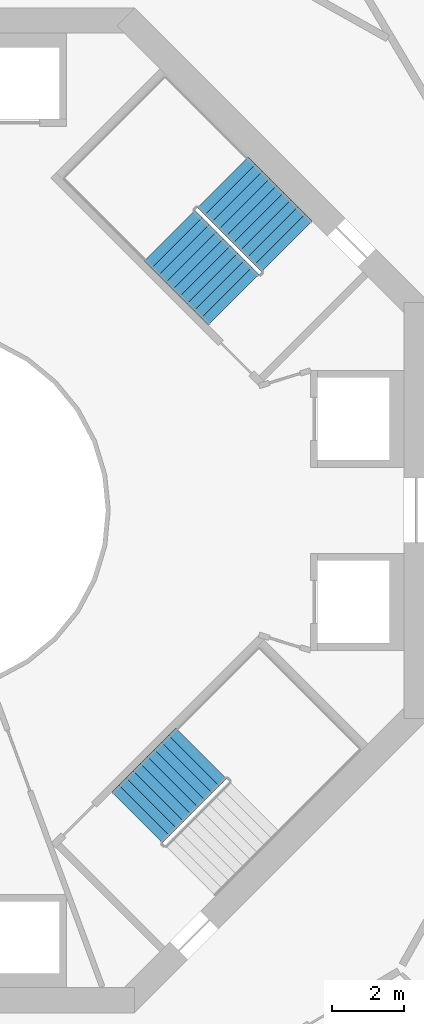
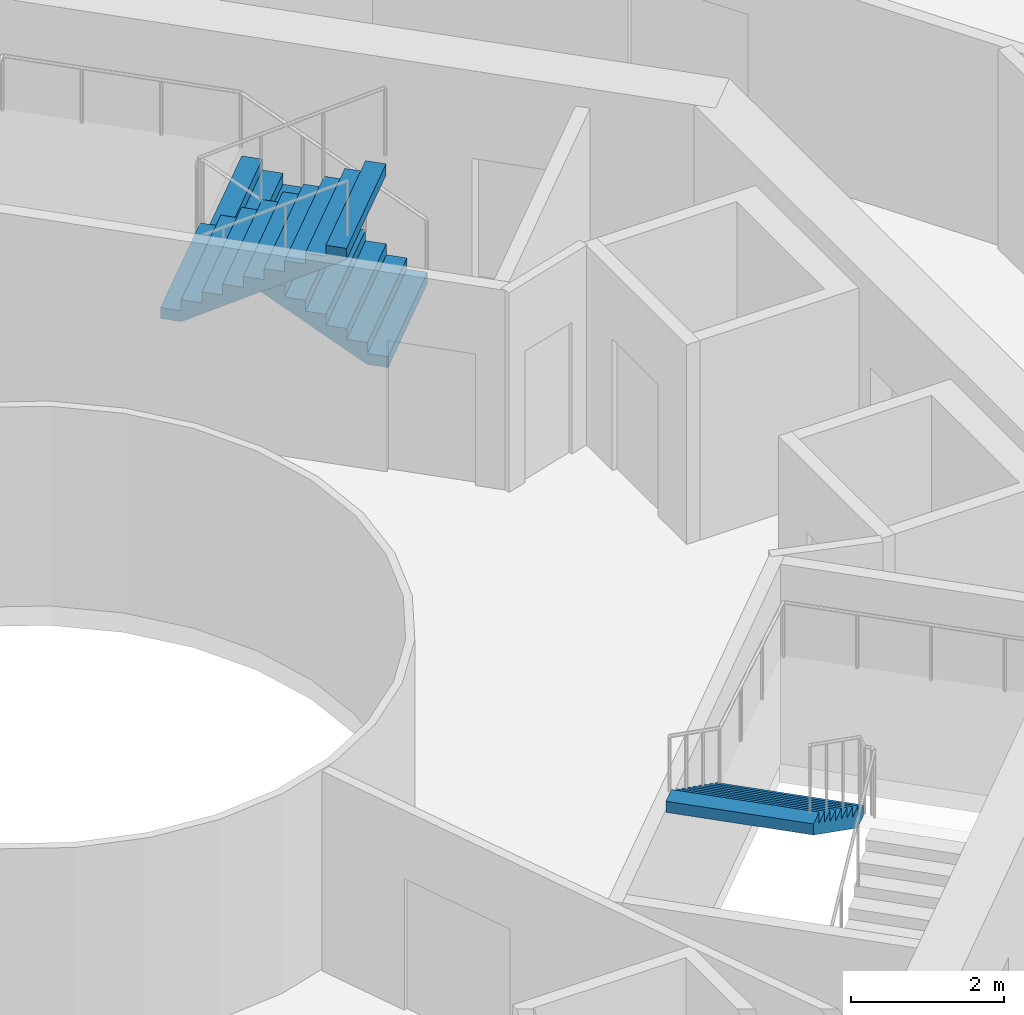
# One storey, part 20 of 21: 3 stair flights, 2 elements without a shape of their own.
"""IFC4 building model written with IfcOpenShell, lengths in metres."""

from ifc_helpers import new_model, si_unit, direction, frame, origin, place, context, subcontext, project, spatial, triangles, material, type_object, element, aggregate, save


model = new_model("IFC4")

# Units and contexts
model_context = context("Model", 3, precision=1e-05, world=origin(), true_north=direction((0.0, 1.0)))
body_context = subcontext(model_context, "Body", "Model", "MODEL_VIEW")
ifc_project = project(units=[si_unit("LENGTHUNIT", "METRE"), si_unit("AREAUNIT", "SQUARE_METRE"), si_unit("VOLUMEUNIT", "CUBIC_METRE"), si_unit("PLANEANGLEUNIT", "RADIAN"), si_unit("MASSUNIT", "GRAM", prefix="KILO")], contexts=[model_context])

# Site, building, storey
site_placement = place(None, origin())
site = spatial("IfcSite", under=ifc_project, at=site_placement, CompositionType="ELEMENT")
building_placement = place(site_placement, origin())
building = spatial("IfcBuilding", under=site, at=building_placement, Name="Verdalira Terraces Hotel", CompositionType="ELEMENT")
storey_placement = place(building_placement, frame((0.0, 0.0, 158.5)))
storey = spatial("IfcBuildingStorey", under=building, at=storey_placement, Name="L38", CompositionType="ELEMENT", Elevation=158.5)

# Stair, stair flights
ifc_material_1 = material(Name="Concrete C40", Category="concrete")
stair_type = type_object("IfcStairType", Name="Core stair 20 risers 2000 mm wide", PredefinedType="HALF_TURN_STAIR", material=ifc_material_1)
stair_1_placement = place(storey_placement, origin())
stair_1 = element("IfcStair", 1, at=stair_1_placement, inside=storey, type_object=stair_type, Name="L38 Exit stair ST1", PredefinedType="HALF_TURN_STAIR")
ifc_material_2 = material(Name="Concrete C40", Category="concrete")
stair_flight_type = type_object("IfcStairFlightType", Name="Core stair flight 20 risers 2000 mm wide", PredefinedType="STRAIGHT", material=ifc_material_2)
stair_flight_1_placement = place(storey_placement, frame((10.041016, 7.354004, 0.0), z_axis=(0.0, 0.0, 1.0), x_axis=(-0.707106781, 0.707106781, 0.0)))
stair_flight_1 = element("IfcStairFlight", 2, at=stair_flight_1_placement, type_object=stair_flight_type, Name="ST1 flight 1", NumberOfRisers=10, NumberOfTreads=9, PredefinedType="STRAIGHT", RiserHeight=0.175, TreadLength=0.28, context=body_context, shape_type="Tessellation", body=[
    triangles([(0.0, 1.0, 0.0), (0.282715, 1.0, 0.0), (2.52002, 1.0, 1.398193), (0.0, -1.0, 0.0), (0.282715, -1.0, 0.0), (2.52002, -1.0, 1.398193), (2.52002, 1.0, 1.574951), (2.23999, 1.0, 1.574951), (2.52002, -1.0, 1.574951), (2.23999, -1.0, 1.574951), (2.23999, 1.0, 1.399902), (2.23999, -1.0, 1.399902), (1.959961, 1.0, 1.399902), (1.959961, -1.0, 1.399902), (1.959961, 1.0, 1.225098), (1.959961, -1.0, 1.225098), (1.679932, 1.0, 1.225098), (1.679932, 1.0, 1.050049), (1.679932, -1.0, 1.225098), (1.679932, -1.0, 1.050049), (1.399902, 1.0, 1.050049), (1.399902, 1.0, 0.875), (1.399902, -1.0, 1.050049), (1.399902, -1.0, 0.875), (1.120117, 1.0, 0.875), (1.120117, 1.0, 0.699951), (1.120117, -1.0, 0.875), (1.120117, -1.0, 0.699951), (0.840088, 1.0, 0.699951), (0.840088, 1.0, 0.524902), (0.840088, -1.0, 0.699951), (0.840088, -1.0, 0.524902), (0.560059, 1.0, 0.524902), (0.560059, 1.0, 0.350098), (0.560059, -1.0, 0.524902), (0.560059, -1.0, 0.350098), (0.280029, 1.0, 0.350098), (0.280029, 1.0, 0.175049), (0.280029, -1.0, 0.350098), (0.280029, -1.0, 0.175049), (0.0, 1.0, 0.175049), (0.0, -1.0, 0.175049), (0.0, -0.9375, 0.0), (0.0, -0.9375, 0.175049), (0.0, -0.875, 0.0), (0.0, -0.875, 0.175049), (0.0, -0.8125, 0.0), (0.0, -0.8125, 0.175049), (0.0, -0.75, 0.0), (0.0, -0.75, 0.175049), (0.0, -0.6875, 0.0), (0.0, -0.6875, 0.175049), (0.0, -0.625, 0.0), (0.0, -0.625, 0.175049), (0.0, -0.5625, 0.0), (0.0, -0.5625, 0.175049), (0.0, -0.5, 0.0), (0.0, -0.5, 0.175049), (0.0, -0.4375, 0.0), (0.0, -0.4375, 0.175049), (0.0, -0.375, 0.0), (0.0, -0.375, 0.175049), (0.0, -0.3125, 0.0), (0.0, -0.3125, 0.175049), (0.0, -0.25, 0.0), (0.0, -0.25, 0.175049), (0.0, -0.1875, 0.0), (0.0, -0.1875, 0.175049), (0.0, -0.125, 0.0), (0.0, -0.125, 0.175049), (0.0, -0.0625, 0.0), (0.0, -0.0625, 0.175049), (0.0, 0.0, 0.0), (0.0, 0.0, 0.175049), (0.0, 0.0625, 0.0), (0.0, 0.0625, 0.175049), (0.0, 0.125, 0.0), (0.0, 0.125, 0.175049), (0.0, 0.1875, 0.0), (0.0, 0.1875, 0.175049), (0.0, 0.25, 0.0), (0.0, 0.25, 0.175049), (0.0, 0.3125, 0.0), (0.0, 0.3125, 0.175049), (0.0, 0.375, 0.0), (0.0, 0.375, 0.175049), (0.0, 0.4375, 0.0), (0.0, 0.4375, 0.175049), (0.0, 0.5, 0.0), (0.0, 0.5, 0.175049), (0.0, 0.5625, 0.0), (0.0, 0.5625, 0.175049), (0.0, 0.625, 0.0), (0.0, 0.625, 0.175049), (0.0, 0.6875, 0.0), (0.0, 0.6875, 0.175049), (0.0, 0.75, 0.0), (0.0, 0.75, 0.175049), (0.0, 0.8125, 0.0), (0.0, 0.8125, 0.175049), (0.0, 0.875, 0.0), (0.0, 0.875, 0.175049), (0.0, 0.9375, 0.0), (0.0, 0.9375, 0.175049), (2.52002, -0.9375, 1.574951), (2.52002, -0.875, 1.574951), (2.52002, -0.8125, 1.574951), (2.52002, -0.75, 1.574951), (2.52002, -0.6875, 1.574951), (2.52002, -0.625, 1.574951), (2.52002, -0.5625, 1.574951), (2.52002, -0.5, 1.574951), (2.52002, -0.4375, 1.574951), (2.52002, -0.375, 1.574951), (2.52002, -0.3125, 1.574951), (2.52002, -0.25, 1.574951), (2.52002, -0.1875, 1.574951), (2.52002, -0.125, 1.574951), (2.52002, -0.0625, 1.574951), (2.52002, 0.0, 1.574951), (2.52002, 0.0625, 1.574951), (2.52002, 0.125, 1.574951), (2.52002, 0.1875, 1.574951), (2.52002, 0.25, 1.574951), (2.52002, 0.3125, 1.574951), (2.52002, 0.375, 1.574951), (2.52002, 0.4375, 1.574951), (2.52002, 0.5, 1.574951), (2.52002, 0.5625, 1.574951), (2.52002, 0.625, 1.574951), (2.52002, 0.6875, 1.574951), (2.52002, 0.75, 1.574951), (2.52002, 0.8125, 1.574951), (2.52002, 0.875, 1.574951), (2.52002, 0.9375, 1.574951), (2.52002, -0.9375, 1.398193), (2.52002, -0.875, 1.398193), (2.52002, -0.8125, 1.398193), (2.52002, -0.75, 1.398193), (2.52002, -0.6875, 1.398193), (2.52002, -0.625, 1.398193), (2.52002, -0.5625, 1.398193), (2.52002, -0.5, 1.398193), (2.52002, -0.4375, 1.398193), (2.52002, -0.375, 1.398193), (2.52002, -0.3125, 1.398193), (2.52002, -0.25, 1.398193), (2.52002, -0.1875, 1.398193), (2.52002, -0.125, 1.398193), (2.52002, -0.0625, 1.398193), (2.52002, 0.0, 1.398193), (2.52002, 0.0625, 1.398193), (2.52002, 0.125, 1.398193), (2.52002, 0.1875, 1.398193), (2.52002, 0.25, 1.398193), (2.52002, 0.3125, 1.398193), (2.52002, 0.375, 1.398193), (2.52002, 0.4375, 1.398193), (2.52002, 0.5, 1.398193), (2.52002, 0.5625, 1.398193), (2.52002, 0.625, 1.398193), (2.52002, 0.6875, 1.398193), (2.52002, 0.75, 1.398193), (2.52002, 0.8125, 1.398193), (2.52002, 0.875, 1.398193), (2.52002, 0.9375, 1.398193)], [[1, 3, 2], [4, 5, 6], [3, 8, 7], [6, 9, 10], [3, 11, 8], [6, 10, 12], [3, 13, 11], [6, 12, 14], [3, 15, 13], [6, 14, 16], [15, 18, 17], [16, 19, 20], [3, 18, 15], [6, 16, 20], [18, 22, 21], [20, 23, 24], [3, 22, 18], [6, 20, 24], [22, 26, 25], [24, 27, 28], [3, 26, 22], [6, 24, 28], [26, 30, 29], [28, 31, 32], [3, 30, 26], [6, 28, 32], [1, 30, 3], [4, 6, 32], [30, 34, 33], [32, 35, 36], [34, 38, 37], [36, 39, 40], [30, 38, 34], [32, 36, 40], [1, 38, 30], [4, 32, 40], [38, 1, 41], [40, 42, 4], [4, 44, 43], [4, 42, 44], [43, 46, 45], [43, 44, 46], [45, 48, 47], [45, 46, 48], [47, 50, 49], [47, 48, 50], [49, 52, 51], [49, 50, 52], [51, 54, 53], [51, 52, 54], [53, 56, 55], [53, 54, 56], [55, 58, 57], [55, 56, 58], [57, 60, 59], [57, 58, 60], [59, 62, 61], [59, 60, 62], [61, 64, 63], [61, 62, 64], [63, 66, 65], [63, 64, 66], [65, 68, 67], [65, 66, 68], [67, 70, 69], [67, 68, 70], [69, 72, 71], [69, 70, 72], [71, 74, 73], [71, 72, 74], [73, 76, 75], [73, 74, 76], [75, 78, 77], [75, 76, 78], [77, 80, 79], [77, 78, 80], [79, 82, 81], [79, 80, 82], [81, 84, 83], [81, 82, 84], [83, 86, 85], [83, 84, 86], [85, 88, 87], [85, 86, 88], [87, 90, 89], [87, 88, 90], [89, 92, 91], [89, 90, 92], [91, 94, 93], [91, 92, 94], [93, 96, 95], [93, 94, 96], [95, 98, 97], [95, 96, 98], [97, 100, 99], [97, 98, 100], [99, 102, 101], [99, 100, 102], [101, 104, 103], [101, 102, 104], [103, 41, 1], [103, 104, 41], [42, 40, 44], [44, 40, 46], [46, 40, 48], [48, 40, 50], [50, 40, 52], [52, 40, 54], [54, 40, 56], [56, 40, 58], [58, 40, 60], [60, 40, 62], [62, 40, 64], [64, 40, 66], [66, 40, 68], [68, 40, 70], [70, 40, 72], [72, 40, 74], [74, 40, 76], [76, 40, 78], [78, 40, 80], [80, 40, 82], [82, 40, 84], [84, 40, 86], [86, 40, 88], [88, 40, 90], [90, 40, 92], [92, 40, 94], [94, 40, 96], [96, 40, 98], [98, 40, 100], [100, 40, 102], [102, 40, 104], [104, 40, 41], [41, 40, 38], [40, 37, 38], [40, 39, 37], [39, 34, 37], [39, 36, 34], [36, 33, 34], [36, 35, 33], [35, 30, 33], [35, 32, 30], [32, 29, 30], [32, 31, 29], [31, 26, 29], [31, 28, 26], [28, 25, 26], [28, 27, 25], [27, 22, 25], [27, 24, 22], [24, 21, 22], [24, 23, 21], [23, 18, 21], [23, 20, 18], [20, 17, 18], [20, 19, 17], [19, 15, 17], [19, 16, 15], [16, 13, 15], [16, 14, 13], [14, 11, 13], [14, 12, 11], [12, 8, 11], [12, 10, 8], [9, 105, 10], [105, 106, 10], [106, 107, 10], [107, 108, 10], [108, 109, 10], [109, 110, 10], [110, 111, 10], [111, 112, 10], [112, 113, 10], [113, 114, 10], [114, 115, 10], [115, 116, 10], [116, 117, 10], [117, 118, 10], [118, 119, 10], [119, 120, 10], [120, 121, 10], [121, 122, 10], [122, 123, 10], [123, 124, 10], [124, 125, 10], [125, 126, 10], [126, 127, 10], [127, 128, 10], [128, 129, 10], [129, 130, 10], [130, 131, 10], [131, 132, 10], [132, 133, 10], [133, 134, 10], [134, 135, 10], [135, 7, 10], [7, 8, 10], [9, 136, 105], [9, 6, 136], [105, 137, 106], [105, 136, 137], [106, 138, 107], [106, 137, 138], [107, 139, 108], [107, 138, 139], [108, 140, 109], [108, 139, 140], [109, 141, 110], [109, 140, 141], [110, 142, 111], [110, 141, 142], [111, 143, 112], [111, 142, 143], [112, 144, 113], [112, 143, 144], [113, 145, 114], [113, 144, 145], [114, 146, 115], [114, 145, 146], [115, 147, 116], [115, 146, 147], [116, 148, 117], [116, 147, 148], [117, 149, 118], [117, 148, 149], [118, 150, 119], [118, 149, 150], [119, 151, 120], [119, 150, 151], [120, 152, 121], [120, 151, 152], [121, 153, 122], [121, 152, 153], [122, 154, 123], [122, 153, 154], [123, 155, 124], [123, 154, 155], [124, 156, 125], [124, 155, 156], [125, 157, 126], [125, 156, 157], [126, 158, 127], [126, 157, 158], [127, 159, 128], [127, 158, 159], [128, 160, 129], [128, 159, 160], [129, 161, 130], [129, 160, 161], [130, 162, 131], [130, 161, 162], [131, 163, 132], [131, 162, 163], [132, 164, 133], [132, 163, 164], [133, 165, 134], [133, 164, 165], [134, 166, 135], [134, 165, 166], [135, 3, 7], [135, 166, 3], [6, 5, 136], [136, 5, 137], [137, 5, 138], [138, 5, 139], [139, 5, 140], [140, 5, 141], [141, 5, 142], [142, 5, 143], [143, 5, 144], [144, 5, 145], [145, 5, 146], [146, 5, 147], [147, 5, 148], [148, 5, 149], [149, 5, 150], [150, 5, 151], [151, 5, 152], [152, 5, 153], [153, 5, 154], [154, 5, 155], [155, 5, 156], [156, 5, 157], [157, 5, 158], [158, 5, 159], [159, 5, 160], [160, 5, 161], [161, 5, 162], [162, 5, 163], [163, 5, 164], [164, 5, 165], [165, 5, 166], [166, 5, 3], [3, 5, 2], [4, 43, 5], [43, 45, 5], [45, 47, 5], [47, 49, 5], [49, 51, 5], [51, 53, 5], [53, 55, 5], [55, 57, 5], [57, 59, 5], [59, 61, 5], [61, 63, 5], [63, 65, 5], [65, 67, 5], [67, 69, 5], [69, 71, 5], [71, 73, 5], [73, 75, 5], [75, 77, 5], [77, 79, 5], [79, 81, 5], [81, 83, 5], [83, 85, 5], [85, 87, 5], [87, 89, 5], [89, 91, 5], [91, 93, 5], [93, 95, 5], [95, 97, 5], [97, 99, 5], [99, 101, 5], [101, 103, 5], [103, 1, 5], [1, 2, 5]], closed=True),
])
stair_flight_2_placement = place(storey_placement, frame((6.77417, 7.650879, 1.75), z_axis=(0.0, 0.0, 1.0), x_axis=(0.707106781, -0.707106781, 0.0)))
stair_flight_2 = element("IfcStairFlight", 3, at=stair_flight_2_placement, type_object=stair_flight_type, Name="ST1 flight 2", NumberOfRisers=10, NumberOfTreads=9, PredefinedType="STRAIGHT", RiserHeight=0.175, TreadLength=0.28, context=body_context, shape_type="Tessellation", body=[
    triangles([(0.0, 1.0, 0.0), (0.282715, 1.0, 0.0), (2.52002, 1.0, 1.398193), (0.0, -1.0, 0.0), (0.282715, -1.0, 0.0), (2.52002, -1.0, 1.398193), (2.52002, 1.0, 1.574951), (2.23999, 1.0, 1.574951), (2.52002, -1.0, 1.574951), (2.23999, -1.0, 1.574951), (2.23999, 1.0, 1.399902), (2.23999, -1.0, 1.399902), (1.959961, 1.0, 1.399902), (1.959961, -1.0, 1.399902), (1.959961, 1.0, 1.225098), (1.959961, -1.0, 1.225098), (1.679932, 1.0, 1.225098), (1.679932, 1.0, 1.050049), (1.679932, -1.0, 1.225098), (1.679932, -1.0, 1.050049), (1.399902, 1.0, 1.050049), (1.399902, 1.0, 0.875), (1.399902, -1.0, 1.050049), (1.399902, -1.0, 0.875), (1.120117, 1.0, 0.875), (1.120117, 1.0, 0.699951), (1.120117, -1.0, 0.875), (1.120117, -1.0, 0.699951), (0.840088, 1.0, 0.699951), (0.840088, 1.0, 0.524902), (0.840088, -1.0, 0.699951), (0.840088, -1.0, 0.524902), (0.560059, 1.0, 0.524902), (0.560059, 1.0, 0.350098), (0.560059, -1.0, 0.524902), (0.560059, -1.0, 0.350098), (0.280029, 1.0, 0.350098), (0.280029, 1.0, 0.175049), (0.280029, -1.0, 0.350098), (0.280029, -1.0, 0.175049), (0.0, 1.0, 0.175049), (0.0, -1.0, 0.175049), (0.0, -0.9375, 0.0), (0.0, -0.9375, 0.175049), (0.0, -0.875, 0.0), (0.0, -0.875, 0.175049), (0.0, -0.8125, 0.0), (0.0, -0.8125, 0.175049), (0.0, -0.75, 0.0), (0.0, -0.75, 0.175049), (0.0, -0.6875, 0.0), (0.0, -0.6875, 0.175049), (0.0, -0.625, 0.0), (0.0, -0.625, 0.175049), (0.0, -0.5625, 0.0), (0.0, -0.5625, 0.175049), (0.0, -0.5, 0.0), (0.0, -0.5, 0.175049), (0.0, -0.4375, 0.0), (0.0, -0.4375, 0.175049), (0.0, -0.375, 0.0), (0.0, -0.375, 0.175049), (0.0, -0.3125, 0.0), (0.0, -0.3125, 0.175049), (0.0, -0.25, 0.0), (0.0, -0.25, 0.175049), (0.0, -0.1875, 0.0), (0.0, -0.1875, 0.175049), (0.0, -0.125, 0.0), (0.0, -0.125, 0.175049), (0.0, -0.0625, 0.0), (0.0, -0.0625, 0.175049), (0.0, 0.0, 0.0), (0.0, 0.0, 0.175049), (0.0, 0.0625, 0.0), (0.0, 0.0625, 0.175049), (0.0, 0.125, 0.0), (0.0, 0.125, 0.175049), (0.0, 0.1875, 0.0), (0.0, 0.1875, 0.175049), (0.0, 0.25, 0.0), (0.0, 0.25, 0.175049), (0.0, 0.3125, 0.0), (0.0, 0.3125, 0.175049), (0.0, 0.375, 0.0), (0.0, 0.375, 0.175049), (0.0, 0.4375, 0.0), (0.0, 0.4375, 0.175049), (0.0, 0.5, 0.0), (0.0, 0.5, 0.175049), (0.0, 0.5625, 0.0), (0.0, 0.5625, 0.175049), (0.0, 0.625, 0.0), (0.0, 0.625, 0.175049), (0.0, 0.6875, 0.0), (0.0, 0.6875, 0.175049), (0.0, 0.75, 0.0), (0.0, 0.75, 0.175049), (0.0, 0.8125, 0.0), (0.0, 0.8125, 0.175049), (0.0, 0.875, 0.0), (0.0, 0.875, 0.175049), (0.0, 0.9375, 0.0), (0.0, 0.9375, 0.175049), (2.52002, -0.9375, 1.574951), (2.52002, -0.875, 1.574951), (2.52002, -0.8125, 1.574951), (2.52002, -0.75, 1.574951), (2.52002, -0.6875, 1.574951), (2.52002, -0.625, 1.574951), (2.52002, -0.5625, 1.574951), (2.52002, -0.5, 1.574951), (2.52002, -0.4375, 1.574951), (2.52002, -0.375, 1.574951), (2.52002, -0.3125, 1.574951), (2.52002, -0.25, 1.574951), (2.52002, -0.1875, 1.574951), (2.52002, -0.125, 1.574951), (2.52002, -0.0625, 1.574951), (2.52002, 0.0, 1.574951), (2.52002, 0.0625, 1.574951), (2.52002, 0.125, 1.574951), (2.52002, 0.1875, 1.574951), (2.52002, 0.25, 1.574951), (2.52002, 0.3125, 1.574951), (2.52002, 0.375, 1.574951), (2.52002, 0.4375, 1.574951), (2.52002, 0.5, 1.574951), (2.52002, 0.5625, 1.574951), (2.52002, 0.625, 1.574951), (2.52002, 0.6875, 1.574951), (2.52002, 0.75, 1.574951), (2.52002, 0.8125, 1.574951), (2.52002, 0.875, 1.574951), (2.52002, 0.9375, 1.574951), (2.52002, -0.9375, 1.398193), (2.52002, -0.875, 1.398193), (2.52002, -0.8125, 1.398193), (2.52002, -0.75, 1.398193), (2.52002, -0.6875, 1.398193), (2.52002, -0.625, 1.398193), (2.52002, -0.5625, 1.398193), (2.52002, -0.5, 1.398193), (2.52002, -0.4375, 1.398193), (2.52002, -0.375, 1.398193), (2.52002, -0.3125, 1.398193), (2.52002, -0.25, 1.398193), (2.52002, -0.1875, 1.398193), (2.52002, -0.125, 1.398193), (2.52002, -0.0625, 1.398193), (2.52002, 0.0, 1.398193), (2.52002, 0.0625, 1.398193), (2.52002, 0.125, 1.398193), (2.52002, 0.1875, 1.398193), (2.52002, 0.25, 1.398193), (2.52002, 0.3125, 1.398193), (2.52002, 0.375, 1.398193), (2.52002, 0.4375, 1.398193), (2.52002, 0.5, 1.398193), (2.52002, 0.5625, 1.398193), (2.52002, 0.625, 1.398193), (2.52002, 0.6875, 1.398193), (2.52002, 0.75, 1.398193), (2.52002, 0.8125, 1.398193), (2.52002, 0.875, 1.398193), (2.52002, 0.9375, 1.398193)], [[1, 3, 2], [4, 5, 6], [3, 8, 7], [6, 9, 10], [3, 11, 8], [6, 10, 12], [3, 13, 11], [6, 12, 14], [3, 15, 13], [6, 14, 16], [15, 18, 17], [16, 19, 20], [3, 18, 15], [6, 16, 20], [18, 22, 21], [20, 23, 24], [3, 22, 18], [6, 20, 24], [22, 26, 25], [24, 27, 28], [3, 26, 22], [6, 24, 28], [26, 30, 29], [28, 31, 32], [3, 30, 26], [6, 28, 32], [1, 30, 3], [4, 6, 32], [30, 34, 33], [32, 35, 36], [34, 38, 37], [36, 39, 40], [30, 38, 34], [32, 36, 40], [1, 38, 30], [4, 32, 40], [38, 1, 41], [40, 42, 4], [4, 44, 43], [4, 42, 44], [43, 46, 45], [43, 44, 46], [45, 48, 47], [45, 46, 48], [47, 50, 49], [47, 48, 50], [49, 52, 51], [49, 50, 52], [51, 54, 53], [51, 52, 54], [53, 56, 55], [53, 54, 56], [55, 58, 57], [55, 56, 58], [57, 60, 59], [57, 58, 60], [59, 62, 61], [59, 60, 62], [61, 64, 63], [61, 62, 64], [63, 66, 65], [63, 64, 66], [65, 68, 67], [65, 66, 68], [67, 70, 69], [67, 68, 70], [69, 72, 71], [69, 70, 72], [71, 74, 73], [71, 72, 74], [73, 76, 75], [73, 74, 76], [75, 78, 77], [75, 76, 78], [77, 80, 79], [77, 78, 80], [79, 82, 81], [79, 80, 82], [81, 84, 83], [81, 82, 84], [83, 86, 85], [83, 84, 86], [85, 88, 87], [85, 86, 88], [87, 90, 89], [87, 88, 90], [89, 92, 91], [89, 90, 92], [91, 94, 93], [91, 92, 94], [93, 96, 95], [93, 94, 96], [95, 98, 97], [95, 96, 98], [97, 100, 99], [97, 98, 100], [99, 102, 101], [99, 100, 102], [101, 104, 103], [101, 102, 104], [103, 41, 1], [103, 104, 41], [42, 40, 44], [44, 40, 46], [46, 40, 48], [48, 40, 50], [50, 40, 52], [52, 40, 54], [54, 40, 56], [56, 40, 58], [58, 40, 60], [60, 40, 62], [62, 40, 64], [64, 40, 66], [66, 40, 68], [68, 40, 70], [70, 40, 72], [72, 40, 74], [74, 40, 76], [76, 40, 78], [78, 40, 80], [80, 40, 82], [82, 40, 84], [84, 40, 86], [86, 40, 88], [88, 40, 90], [90, 40, 92], [92, 40, 94], [94, 40, 96], [96, 40, 98], [98, 40, 100], [100, 40, 102], [102, 40, 104], [104, 40, 41], [41, 40, 38], [40, 37, 38], [40, 39, 37], [39, 34, 37], [39, 36, 34], [36, 33, 34], [36, 35, 33], [35, 30, 33], [35, 32, 30], [32, 29, 30], [32, 31, 29], [31, 26, 29], [31, 28, 26], [28, 25, 26], [28, 27, 25], [27, 22, 25], [27, 24, 22], [24, 21, 22], [24, 23, 21], [23, 18, 21], [23, 20, 18], [20, 17, 18], [20, 19, 17], [19, 15, 17], [19, 16, 15], [16, 13, 15], [16, 14, 13], [14, 11, 13], [14, 12, 11], [12, 8, 11], [12, 10, 8], [9, 105, 10], [105, 106, 10], [106, 107, 10], [107, 108, 10], [108, 109, 10], [109, 110, 10], [110, 111, 10], [111, 112, 10], [112, 113, 10], [113, 114, 10], [114, 115, 10], [115, 116, 10], [116, 117, 10], [117, 118, 10], [118, 119, 10], [119, 120, 10], [120, 121, 10], [121, 122, 10], [122, 123, 10], [123, 124, 10], [124, 125, 10], [125, 126, 10], [126, 127, 10], [127, 128, 10], [128, 129, 10], [129, 130, 10], [130, 131, 10], [131, 132, 10], [132, 133, 10], [133, 134, 10], [134, 135, 10], [135, 7, 10], [7, 8, 10], [9, 136, 105], [9, 6, 136], [105, 137, 106], [105, 136, 137], [106, 138, 107], [106, 137, 138], [107, 139, 108], [107, 138, 139], [108, 140, 109], [108, 139, 140], [109, 141, 110], [109, 140, 141], [110, 142, 111], [110, 141, 142], [111, 143, 112], [111, 142, 143], [112, 144, 113], [112, 143, 144], [113, 145, 114], [113, 144, 145], [114, 146, 115], [114, 145, 146], [115, 147, 116], [115, 146, 147], [116, 148, 117], [116, 147, 148], [117, 149, 118], [117, 148, 149], [118, 150, 119], [118, 149, 150], [119, 151, 120], [119, 150, 151], [120, 152, 121], [120, 151, 152], [121, 153, 122], [121, 152, 153], [122, 154, 123], [122, 153, 154], [123, 155, 124], [123, 154, 155], [124, 156, 125], [124, 155, 156], [125, 157, 126], [125, 156, 157], [126, 158, 127], [126, 157, 158], [127, 159, 128], [127, 158, 159], [128, 160, 129], [128, 159, 160], [129, 161, 130], [129, 160, 161], [130, 162, 131], [130, 161, 162], [131, 163, 132], [131, 162, 163], [132, 164, 133], [132, 163, 164], [133, 165, 134], [133, 164, 165], [134, 166, 135], [134, 165, 166], [135, 3, 7], [135, 166, 3], [6, 5, 136], [136, 5, 137], [137, 5, 138], [138, 5, 139], [139, 5, 140], [140, 5, 141], [141, 5, 142], [142, 5, 143], [143, 5, 144], [144, 5, 145], [145, 5, 146], [146, 5, 147], [147, 5, 148], [148, 5, 149], [149, 5, 150], [150, 5, 151], [151, 5, 152], [152, 5, 153], [153, 5, 154], [154, 5, 155], [155, 5, 156], [156, 5, 157], [157, 5, 158], [158, 5, 159], [159, 5, 160], [160, 5, 161], [161, 5, 162], [162, 5, 163], [163, 5, 164], [164, 5, 165], [165, 5, 166], [166, 5, 3], [3, 5, 2], [4, 43, 5], [43, 45, 5], [45, 47, 5], [47, 49, 5], [49, 51, 5], [51, 53, 5], [53, 55, 5], [55, 57, 5], [57, 59, 5], [59, 61, 5], [61, 63, 5], [63, 65, 5], [65, 67, 5], [67, 69, 5], [69, 71, 5], [71, 73, 5], [73, 75, 5], [75, 77, 5], [77, 79, 5], [79, 81, 5], [81, 83, 5], [83, 85, 5], [85, 87, 5], [87, 89, 5], [89, 91, 5], [91, 93, 5], [93, 95, 5], [95, 97, 5], [97, 99, 5], [99, 101, 5], [101, 103, 5], [103, 1, 5], [1, 2, 5]], closed=True),
])
aggregate(stair_1, [stair_flight_1, stair_flight_2])

# Stair, stair flight
stair_2_placement = place(storey_placement, origin())
stair_2 = element("IfcStair", 4, at=stair_2_placement, inside=storey, type_object=stair_type, Name="L38 Exit stair ST3", PredefinedType="HALF_TURN_STAIR")
stair_flight_3_placement = place(storey_placement, frame((7.650879, -6.77417, 1.75), z_axis=(0.0, 0.0, 1.0), x_axis=(-0.707106781, -0.707106781, 0.0)))
stair_flight_3 = element("IfcStairFlight", 5, at=stair_flight_3_placement, type_object=stair_flight_type, Name="ST3 flight 2", NumberOfRisers=10, NumberOfTreads=9, PredefinedType="STRAIGHT", RiserHeight=0.175, TreadLength=0.28, context=body_context, shape_type="Tessellation", body=[
    triangles([(0.0, 1.0, 0.0), (0.282715, 1.0, 0.0), (2.52002, 1.0, 1.398193), (0.0, -1.0, 0.0), (0.282715, -1.0, 0.0), (2.52002, -1.0, 1.398193), (2.52002, 1.0, 1.574951), (2.23999, 1.0, 1.574951), (2.52002, -1.0, 1.574951), (2.23999, -1.0, 1.574951), (2.23999, 1.0, 1.399902), (2.23999, -1.0, 1.399902), (1.959961, 1.0, 1.399902), (1.959961, -1.0, 1.399902), (1.959961, 1.0, 1.225098), (1.959961, -1.0, 1.225098), (1.679932, 1.0, 1.225098), (1.679932, 1.0, 1.050049), (1.679932, -1.0, 1.225098), (1.679932, -1.0, 1.050049), (1.399902, 1.0, 1.050049), (1.399902, 1.0, 0.875), (1.399902, -1.0, 1.050049), (1.399902, -1.0, 0.875), (1.120117, 1.0, 0.875), (1.120117, 1.0, 0.699951), (1.120117, -1.0, 0.875), (1.120117, -1.0, 0.699951), (0.840088, 1.0, 0.699951), (0.840088, 1.0, 0.524902), (0.840088, -1.0, 0.699951), (0.840088, -1.0, 0.524902), (0.560059, 1.0, 0.524902), (0.560059, 1.0, 0.350098), (0.560059, -1.0, 0.524902), (0.560059, -1.0, 0.350098), (0.280029, 1.0, 0.350098), (0.280029, 1.0, 0.175049), (0.280029, -1.0, 0.350098), (0.280029, -1.0, 0.175049), (0.0, 1.0, 0.175049), (0.0, -1.0, 0.175049), (0.0, -0.9375, 0.0), (0.0, -0.9375, 0.175049), (0.0, -0.875, 0.0), (0.0, -0.875, 0.175049), (0.0, -0.8125, 0.0), (0.0, -0.8125, 0.175049), (0.0, -0.75, 0.0), (0.0, -0.75, 0.175049), (0.0, -0.6875, 0.0), (0.0, -0.6875, 0.175049), (0.0, -0.625, 0.0), (0.0, -0.625, 0.175049), (0.0, -0.5625, 0.0), (0.0, -0.5625, 0.175049), (0.0, -0.5, 0.0), (0.0, -0.5, 0.175049), (0.0, -0.4375, 0.0), (0.0, -0.4375, 0.175049), (0.0, -0.375, 0.0), (0.0, -0.375, 0.175049), (0.0, -0.3125, 0.0), (0.0, -0.3125, 0.175049), (0.0, -0.25, 0.0), (0.0, -0.25, 0.175049), (0.0, -0.1875, 0.0), (0.0, -0.1875, 0.175049), (0.0, -0.125, 0.0), (0.0, -0.125, 0.175049), (0.0, -0.0625, 0.0), (0.0, -0.0625, 0.175049), (0.0, 0.0, 0.0), (0.0, 0.0, 0.175049), (0.0, 0.0625, 0.0), (0.0, 0.0625, 0.175049), (0.0, 0.125, 0.0), (0.0, 0.125, 0.175049), (0.0, 0.1875, 0.0), (0.0, 0.1875, 0.175049), (0.0, 0.25, 0.0), (0.0, 0.25, 0.175049), (0.0, 0.3125, 0.0), (0.0, 0.3125, 0.175049), (0.0, 0.375, 0.0), (0.0, 0.375, 0.175049), (0.0, 0.4375, 0.0), (0.0, 0.4375, 0.175049), (0.0, 0.5, 0.0), (0.0, 0.5, 0.175049), (0.0, 0.5625, 0.0), (0.0, 0.5625, 0.175049), (0.0, 0.625, 0.0), (0.0, 0.625, 0.175049), (0.0, 0.6875, 0.0), (0.0, 0.6875, 0.175049), (0.0, 0.75, 0.0), (0.0, 0.75, 0.175049), (0.0, 0.8125, 0.0), (0.0, 0.8125, 0.175049), (0.0, 0.875, 0.0), (0.0, 0.875, 0.175049), (0.0, 0.9375, 0.0), (0.0, 0.9375, 0.175049), (2.52002, -0.9375, 1.574951), (2.52002, -0.875, 1.574951), (2.52002, -0.8125, 1.574951), (2.52002, -0.75, 1.574951), (2.52002, -0.6875, 1.574951), (2.52002, -0.625, 1.574951), (2.52002, -0.5625, 1.574951), (2.52002, -0.5, 1.574951), (2.52002, -0.4375, 1.574951), (2.52002, -0.375, 1.574951), (2.52002, -0.3125, 1.574951), (2.52002, -0.25, 1.574951), (2.52002, -0.1875, 1.574951), (2.52002, -0.125, 1.574951), (2.52002, -0.0625, 1.574951), (2.52002, 0.0, 1.574951), (2.52002, 0.0625, 1.574951), (2.52002, 0.125, 1.574951), (2.52002, 0.1875, 1.574951), (2.52002, 0.25, 1.574951), (2.52002, 0.3125, 1.574951), (2.52002, 0.375, 1.574951), (2.52002, 0.4375, 1.574951), (2.52002, 0.5, 1.574951), (2.52002, 0.5625, 1.574951), (2.52002, 0.625, 1.574951), (2.52002, 0.6875, 1.574951), (2.52002, 0.75, 1.574951), (2.52002, 0.8125, 1.574951), (2.52002, 0.875, 1.574951), (2.52002, 0.9375, 1.574951), (2.52002, -0.9375, 1.398193), (2.52002, -0.875, 1.398193), (2.52002, -0.8125, 1.398193), (2.52002, -0.75, 1.398193), (2.52002, -0.6875, 1.398193), (2.52002, -0.625, 1.398193), (2.52002, -0.5625, 1.398193), (2.52002, -0.5, 1.398193), (2.52002, -0.4375, 1.398193), (2.52002, -0.375, 1.398193), (2.52002, -0.3125, 1.398193), (2.52002, -0.25, 1.398193), (2.52002, -0.1875, 1.398193), (2.52002, -0.125, 1.398193), (2.52002, -0.0625, 1.398193), (2.52002, 0.0, 1.398193), (2.52002, 0.0625, 1.398193), (2.52002, 0.125, 1.398193), (2.52002, 0.1875, 1.398193), (2.52002, 0.25, 1.398193), (2.52002, 0.3125, 1.398193), (2.52002, 0.375, 1.398193), (2.52002, 0.4375, 1.398193), (2.52002, 0.5, 1.398193), (2.52002, 0.5625, 1.398193), (2.52002, 0.625, 1.398193), (2.52002, 0.6875, 1.398193), (2.52002, 0.75, 1.398193), (2.52002, 0.8125, 1.398193), (2.52002, 0.875, 1.398193), (2.52002, 0.9375, 1.398193)], [[1, 3, 2], [4, 5, 6], [3, 8, 7], [6, 9, 10], [3, 11, 8], [6, 10, 12], [3, 13, 11], [6, 12, 14], [3, 15, 13], [6, 14, 16], [15, 18, 17], [16, 19, 20], [3, 18, 15], [6, 16, 20], [18, 22, 21], [20, 23, 24], [3, 22, 18], [6, 20, 24], [22, 26, 25], [24, 27, 28], [3, 26, 22], [6, 24, 28], [26, 30, 29], [28, 31, 32], [3, 30, 26], [6, 28, 32], [1, 30, 3], [4, 6, 32], [30, 34, 33], [32, 35, 36], [34, 38, 37], [36, 39, 40], [30, 38, 34], [32, 36, 40], [1, 38, 30], [4, 32, 40], [38, 1, 41], [40, 42, 4], [4, 44, 43], [4, 42, 44], [43, 46, 45], [43, 44, 46], [45, 48, 47], [45, 46, 48], [47, 50, 49], [47, 48, 50], [49, 52, 51], [49, 50, 52], [51, 54, 53], [51, 52, 54], [53, 56, 55], [53, 54, 56], [55, 58, 57], [55, 56, 58], [57, 60, 59], [57, 58, 60], [59, 62, 61], [59, 60, 62], [61, 64, 63], [61, 62, 64], [63, 66, 65], [63, 64, 66], [65, 68, 67], [65, 66, 68], [67, 70, 69], [67, 68, 70], [69, 72, 71], [69, 70, 72], [71, 74, 73], [71, 72, 74], [73, 76, 75], [73, 74, 76], [75, 78, 77], [75, 76, 78], [77, 80, 79], [77, 78, 80], [79, 82, 81], [79, 80, 82], [81, 84, 83], [81, 82, 84], [83, 86, 85], [83, 84, 86], [85, 88, 87], [85, 86, 88], [87, 90, 89], [87, 88, 90], [89, 92, 91], [89, 90, 92], [91, 94, 93], [91, 92, 94], [93, 96, 95], [93, 94, 96], [95, 98, 97], [95, 96, 98], [97, 100, 99], [97, 98, 100], [99, 102, 101], [99, 100, 102], [101, 104, 103], [101, 102, 104], [103, 41, 1], [103, 104, 41], [42, 40, 44], [44, 40, 46], [46, 40, 48], [48, 40, 50], [50, 40, 52], [52, 40, 54], [54, 40, 56], [56, 40, 58], [58, 40, 60], [60, 40, 62], [62, 40, 64], [64, 40, 66], [66, 40, 68], [68, 40, 70], [70, 40, 72], [72, 40, 74], [74, 40, 76], [76, 40, 78], [78, 40, 80], [80, 40, 82], [82, 40, 84], [84, 40, 86], [86, 40, 88], [88, 40, 90], [90, 40, 92], [92, 40, 94], [94, 40, 96], [96, 40, 98], [98, 40, 100], [100, 40, 102], [102, 40, 104], [104, 40, 41], [41, 40, 38], [40, 37, 38], [40, 39, 37], [39, 34, 37], [39, 36, 34], [36, 33, 34], [36, 35, 33], [35, 30, 33], [35, 32, 30], [32, 29, 30], [32, 31, 29], [31, 26, 29], [31, 28, 26], [28, 25, 26], [28, 27, 25], [27, 22, 25], [27, 24, 22], [24, 21, 22], [24, 23, 21], [23, 18, 21], [23, 20, 18], [20, 17, 18], [20, 19, 17], [19, 15, 17], [19, 16, 15], [16, 13, 15], [16, 14, 13], [14, 11, 13], [14, 12, 11], [12, 8, 11], [12, 10, 8], [9, 105, 10], [105, 106, 10], [106, 107, 10], [107, 108, 10], [108, 109, 10], [109, 110, 10], [110, 111, 10], [111, 112, 10], [112, 113, 10], [113, 114, 10], [114, 115, 10], [115, 116, 10], [116, 117, 10], [117, 118, 10], [118, 119, 10], [119, 120, 10], [120, 121, 10], [121, 122, 10], [122, 123, 10], [123, 124, 10], [124, 125, 10], [125, 126, 10], [126, 127, 10], [127, 128, 10], [128, 129, 10], [129, 130, 10], [130, 131, 10], [131, 132, 10], [132, 133, 10], [133, 134, 10], [134, 135, 10], [135, 7, 10], [7, 8, 10], [9, 136, 105], [9, 6, 136], [105, 137, 106], [105, 136, 137], [106, 138, 107], [106, 137, 138], [107, 139, 108], [107, 138, 139], [108, 140, 109], [108, 139, 140], [109, 141, 110], [109, 140, 141], [110, 142, 111], [110, 141, 142], [111, 143, 112], [111, 142, 143], [112, 144, 113], [112, 143, 144], [113, 145, 114], [113, 144, 145], [114, 146, 115], [114, 145, 146], [115, 147, 116], [115, 146, 147], [116, 148, 117], [116, 147, 148], [117, 149, 118], [117, 148, 149], [118, 150, 119], [118, 149, 150], [119, 151, 120], [119, 150, 151], [120, 152, 121], [120, 151, 152], [121, 153, 122], [121, 152, 153], [122, 154, 123], [122, 153, 154], [123, 155, 124], [123, 154, 155], [124, 156, 125], [124, 155, 156], [125, 157, 126], [125, 156, 157], [126, 158, 127], [126, 157, 158], [127, 159, 128], [127, 158, 159], [128, 160, 129], [128, 159, 160], [129, 161, 130], [129, 160, 161], [130, 162, 131], [130, 161, 162], [131, 163, 132], [131, 162, 163], [132, 164, 133], [132, 163, 164], [133, 165, 134], [133, 164, 165], [134, 166, 135], [134, 165, 166], [135, 3, 7], [135, 166, 3], [6, 5, 136], [136, 5, 137], [137, 5, 138], [138, 5, 139], [139, 5, 140], [140, 5, 141], [141, 5, 142], [142, 5, 143], [143, 5, 144], [144, 5, 145], [145, 5, 146], [146, 5, 147], [147, 5, 148], [148, 5, 149], [149, 5, 150], [150, 5, 151], [151, 5, 152], [152, 5, 153], [153, 5, 154], [154, 5, 155], [155, 5, 156], [156, 5, 157], [157, 5, 158], [158, 5, 159], [159, 5, 160], [160, 5, 161], [161, 5, 162], [162, 5, 163], [163, 5, 164], [164, 5, 165], [165, 5, 166], [166, 5, 3], [3, 5, 2], [4, 43, 5], [43, 45, 5], [45, 47, 5], [47, 49, 5], [49, 51, 5], [51, 53, 5], [53, 55, 5], [55, 57, 5], [57, 59, 5], [59, 61, 5], [61, 63, 5], [63, 65, 5], [65, 67, 5], [67, 69, 5], [69, 71, 5], [71, 73, 5], [73, 75, 5], [75, 77, 5], [77, 79, 5], [79, 81, 5], [81, 83, 5], [83, 85, 5], [85, 87, 5], [87, 89, 5], [89, 91, 5], [91, 93, 5], [93, 95, 5], [95, 97, 5], [97, 99, 5], [99, 101, 5], [101, 103, 5], [103, 1, 5], [1, 2, 5]], closed=True),
])
aggregate(stair_2, [stair_flight_3])

save(model, "model.ifc")
